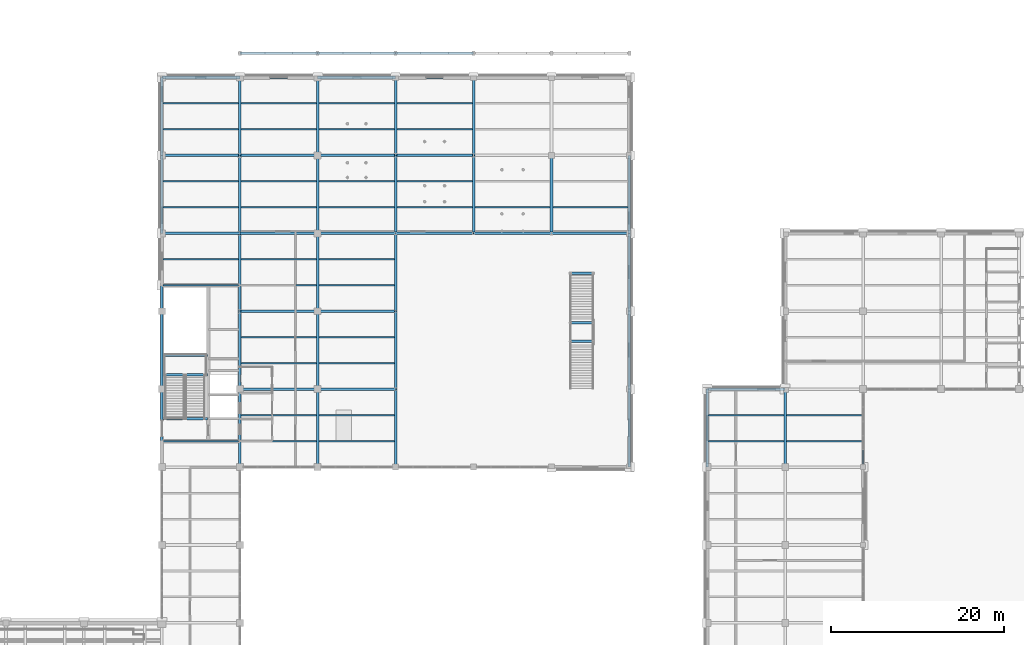
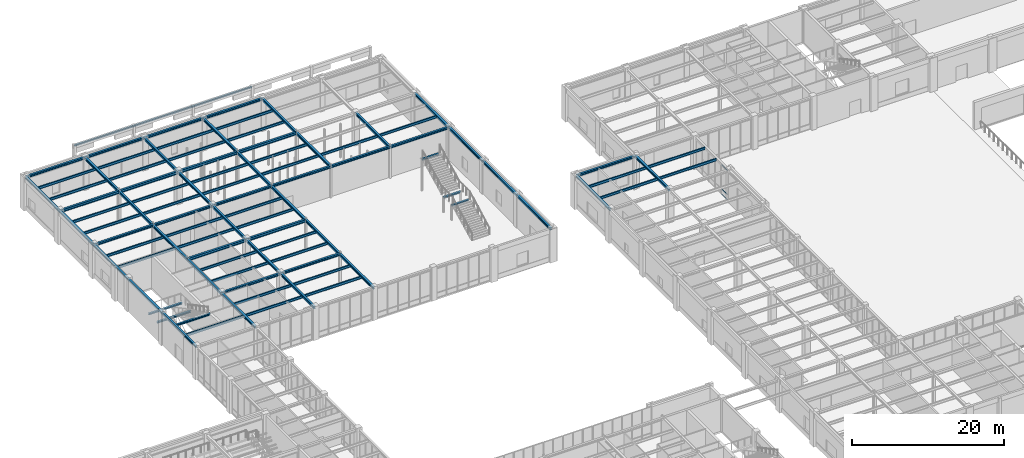
# One storey, part 45 of 77: 94 beams, 3 members, 1 element without a shape of its own.
"""IFC4 building model written with IfcOpenShell, lengths in metres."""

import ifcopenshell
import ifcopenshell.guid

model = None  # the IFC model being written
_history = None  # IfcOwnerHistory: only IFC2X3 demands one
_inside = {}  # id of a spatial element -> (the spatial element, [elements in it])
_under = {}  # id of a project, library or spatial element -> (it, [spatial elements below it])
_declared = {}  # id of a project -> (the project, [libraries it declares])
_typed = {}  # id of a type object -> (the type object, [elements of that type])
_made_of = {}  # id of a material, layer set ... -> (it, [elements and type objects made of it])


def new_model(schema):
    """Start an empty IFC model of exactly this schema.

    Asked for "IFC4X3", IfcOpenShell would pick the latest addendum, in which some entities
    have other attributes; the version numbers below select the first issue.
    IFC2X3 requires an IfcOwnerHistory on every rooted entity: one is made here for all.
    """
    global model, _history
    if schema == "IFC4X3":
        model = ifcopenshell.file(schema_version=(4, 3, 0, 0))
    else:
        model = ifcopenshell.file(schema=schema)
    _inside.clear()
    _under.clear()
    _declared.clear()
    _typed.clear()
    _made_of.clear()
    _history = None
    if model.schema == "IFC2X3":
        org = make("IfcOrganization", Name="unknown")
        user = make(
            "IfcPersonAndOrganization",
            ThePerson=make("IfcPerson", FamilyName="unknown"),
            TheOrganization=org,
        )
        app = make(
            "IfcApplication",
            ApplicationDeveloper=org,
            Version="unknown",
            ApplicationFullName="unknown",
            ApplicationIdentifier="unknown",
        )
        _history = make(
            "IfcOwnerHistory",
            OwningUser=user,
            OwningApplication=app,
            ChangeAction="ADDED",
            CreationDate=0,
        )
    return model


def make(cls, **values):
    """One entity of the class cls with the attributes given. An attribute that is None is left unset."""
    return model.create_entity(
        cls, **{name: value for name, value in values.items() if value is not None}
    )


def rooted(cls, **values):
    """An entity with a GlobalId (a new one), such as an element, a storey or a relation."""
    return make(cls, GlobalId=ifcopenshell.guid.new(), OwnerHistory=_history, **values)


def si_unit(unit_type, name, prefix=None):
    """IfcSIUnit, for example si_unit("LENGTHUNIT", "METRE", prefix="MILLI")."""
    return make("IfcSIUnit", UnitType=unit_type, Prefix=prefix, Name=name)


def assignment(units):
    """IfcUnitAssignment: the units of a project."""
    return None if units is None else make("IfcUnitAssignment", Units=units)


def point(xyz):
    """IfcCartesianPoint."""
    return None if xyz is None else make("IfcCartesianPoint", Coordinates=xyz)


def direction(xyz):
    """IfcDirection."""
    return None if xyz is None else make("IfcDirection", DirectionRatios=xyz)


def frame(location, z_axis=None, x_axis=None):
    """IfcAxis2Placement3D, a coordinate frame: its origin and axes. An axis left out is left unset."""
    return make(
        "IfcAxis2Placement3D",
        Location=point(location),
        Axis=direction(z_axis),
        RefDirection=direction(x_axis),
    )


def frame_2d(location, x_axis=None):
    """IfcAxis2Placement2D, a coordinate frame in the plane: its origin and x axis."""
    return make(
        "IfcAxis2Placement2D", Location=point(location), RefDirection=direction(x_axis)
    )


def origin():
    """The frame at (0, 0, 0) with its axes left unset."""
    return frame((0.0, 0.0, 0.0))


def origin_2d():
    """The frame at (0, 0) in the plane with its x axis left unset."""
    return frame_2d((0.0, 0.0))


def place(relative_to, where):
    """IfcLocalPlacement: puts the frame where relative to a parent placement (None: the world)."""
    return make(
        "IfcLocalPlacement", PlacementRelTo=relative_to, RelativePlacement=where
    )


def context(
    kind, dimensions, precision=None, world=None, true_north=None, identifier=None
):
    """IfcGeometricRepresentationContext, for example the 3D "Model" context."""
    return make(
        "IfcGeometricRepresentationContext",
        ContextIdentifier=identifier,
        ContextType=kind,
        CoordinateSpaceDimension=dimensions,
        Precision=precision,
        WorldCoordinateSystem=world,
        TrueNorth=true_north,
    )


def subcontext(parent, identifier, kind, view, scale=None):
    """IfcGeometricRepresentationSubContext, for example "Body" below "Model"."""
    return make(
        "IfcGeometricRepresentationSubContext",
        ContextIdentifier=identifier,
        ContextType=kind,
        ParentContext=parent,
        TargetScale=scale,
        TargetView=view,
    )


def project(units=None, contexts=None):
    """IfcProject with its units and contexts."""
    return rooted(
        "IfcProject",
        Name="project",
        RepresentationContexts=contexts,
        UnitsInContext=assignment(units),
    )


def spatial(cls, under=None, at=None, **own):
    """A site, building, storey or space (cls), placed at a placement, below another one or the project."""
    s = rooted(cls, ObjectPlacement=at, **own)
    if under is not None:
        _under.setdefault(under.id(), (under, []))[1].append(s)
    return s


def profile(cls, at=None, kind="AREA", **sizes):
    """A parametric profile (cls). Its sizes go by their IFC names, for example OverallWidth=200.0."""
    return make(cls, ProfileType=kind, Position=at, **sizes)


def hollow_rectangle(**sizes):
    """IfcRectangleHollowProfileDef."""
    return profile("IfcRectangleHollowProfileDef", **sizes)


def i_section(**sizes):
    """IfcIShapeProfileDef."""
    return profile("IfcIShapeProfileDef", **sizes)


def extrude(swept, where, along, depth):
    """IfcExtrudedAreaSolid: the profile swept, set in the frame where, extruded along a direction by depth."""
    return make(
        "IfcExtrudedAreaSolid",
        SweptArea=swept,
        Position=where,
        ExtrudedDirection=direction(along),
        Depth=depth,
    )


def shape(context_of_items, identifier, shape_type, items):
    """IfcShapeRepresentation: the items that make up one representation, for example the "Body"."""
    return make(
        "IfcShapeRepresentation",
        ContextOfItems=context_of_items,
        RepresentationIdentifier=identifier,
        RepresentationType=shape_type,
        Items=items,
    )


def material(Name=None, Category=None):
    """IfcMaterial."""
    return make("IfcMaterial", Name=Name, Category=Category)


def material_profile(
    of_material, cross_section, Name=None, Category=None, Priority=None
):
    """IfcMaterialProfile: a cross section and its material."""
    return make(
        "IfcMaterialProfile",
        Name=Name,
        Material=of_material,
        Profile=cross_section,
        Priority=Priority,
        Category=Category,
    )


def profile_set(profiles, Name=None, composite=None):
    """IfcMaterialProfileSet."""
    return make(
        "IfcMaterialProfileSet",
        Name=Name,
        MaterialProfiles=profiles,
        CompositeProfile=composite,
    )


def made_of(thing, what):
    """Note that an element or type object is made of a material, layer set ...; save() writes the relation."""
    if what is not None:
        _made_of.setdefault(what.id(), (what, []))[1].append(thing)
    return thing


def type_object(cls, material=None, **own):
    """A type object (cls), such as IfcWallType, which elements share."""
    return made_of(rooted(cls, **own), material)


def element(
    cls,
    number,
    at=None,
    inside=None,
    cuts=None,
    type_object=None,
    material=None,
    context=None,
    identifier="Body",
    shape_type=None,
    held_by="IfcProductDefinitionShape",
    body=None,
    shapes=None,
    **own,
):
    """One element of the class cls, such as IfcWall. Its Tag is "e" and its number.

    at: its placement. inside: the storey or other place that contains it. cuts: it is an
    opening in that element (IfcRelVoidsElement). A single representation is given by context,
    identifier, shape_type and body (its items); several are given by shapes. held_by: the class
    of the entity that holds the representations. save() writes the other relations.
    """
    e = rooted(cls, Tag="e%d" % number, ObjectPlacement=at, **own)
    if body is not None:
        shapes = [shape(context, identifier, shape_type, body)]
    if shapes is not None:
        e.Representation = make(held_by, Representations=shapes)
    if inside is not None:
        _inside.setdefault(inside.id(), (inside, []))[1].append(e)
    if cuts is not None:
        rooted(
            "IfcRelVoidsElement", RelatingBuildingElement=cuts, RelatedOpeningElement=e
        )
    if type_object is not None:
        _typed.setdefault(type_object.id(), (type_object, []))[1].append(e)
    return made_of(e, material)


def aggregate(whole, parts):
    """IfcRelAggregates: a whole, such as a stair, and the parts it consists of."""
    return rooted("IfcRelAggregates", RelatingObject=whole, RelatedObjects=parts)


def save(model, path):
    """Write the relations noted so far, then the file.

    IfcRelAggregates (storeys below a building ...), IfcRelContainedInSpatialStructure (elements
    in a storey), IfcRelDefinesByType, IfcRelAssociatesMaterial and IfcRelDeclares: one each for
    every whole, place, type object, material and project.
    """
    for whole, parts in _under.values():
        aggregate(whole, parts)
    for where, things in _inside.values():
        rooted(
            "IfcRelContainedInSpatialStructure",
            RelatedElements=things,
            RelatingStructure=where,
        )
    for kind, things in _typed.values():
        rooted("IfcRelDefinesByType", RelatedObjects=things, RelatingType=kind)
    for what, things in _made_of.values():
        rooted("IfcRelAssociatesMaterial", RelatedObjects=things, RelatingMaterial=what)
    for by, libraries in _declared.values():
        rooted("IfcRelDeclares", RelatingContext=by, RelatedDefinitions=libraries)
    model.write(path)


model = new_model("IFC4")

# Units and contexts
model_context = context("Model", 3, precision=1e-05, world=origin(), true_north=direction((0.0, 1.0)))
body_context = subcontext(model_context, "Body", "Model", "MODEL_VIEW")
ifc_project = project(units=[si_unit("LENGTHUNIT", "METRE"), si_unit("AREAUNIT", "SQUARE_METRE"), si_unit("VOLUMEUNIT", "CUBIC_METRE"), si_unit("PLANEANGLEUNIT", "RADIAN"), si_unit("MASSUNIT", "GRAM", prefix="KILO")], contexts=[model_context])

# Site, building, storey
site_placement = place(None, origin())
site = spatial("IfcSite", under=ifc_project, at=site_placement, CompositionType="ELEMENT")
building_placement = place(site_placement, origin())
building = spatial("IfcBuilding", under=site, at=building_placement, Name="Lykobir Media Centre", CompositionType="ELEMENT")
storey_placement = place(building_placement, origin())
storey = spatial("IfcBuildingStorey", under=building, at=storey_placement, Name="L00", CompositionType="ELEMENT", Elevation=0.0)

# Beams
ifc_material_1 = material(Name="Steel S355", Category="steel")
ifc_material_profile_1 = material_profile(ifc_material_1, i_section(OverallWidth=0.300048828125, OverallDepth=0.389892578125, WebThickness=0.010986328125, FlangeThickness=0.01904296875, at=origin_2d()), Name="HEA 400")
ifc_profile_set_1 = profile_set([ifc_material_profile_1], Name="Steel S355")
beam_type_1 = type_object("IfcBeamType", Name="BM-HEA400", PredefinedType="BEAM", material=ifc_profile_set_1)
for number, where, z_axis, x_axis, name in (
    (1, (36.0, 63.0, 4.965087890625), (0.0, 1.0, 0.0), (-1.0, 0.0, 0.0), "Beam BM-L00-0360-0630-0360-0720-496"),
    (2, (36.0, 72.0, 4.965087890625), (0.0, 1.0, 0.0), (-1.0, 0.0, 0.0), "Beam BM-L00-0360-0720-0360-0810-496"),
    (3, (36.0, 81.0, 4.965087890625), (0.0, 1.0, 0.0), (-1.0, 0.0, 0.0), "Beam BM-L00-0360-0810-0360-0900-496"),
    (4, (36.0, 90.0, 4.965087890625), (0.0, 1.0, 0.0), (-1.0, 0.0, 0.0), "Beam BM-L00-0360-0900-0360-0990-496"),
    (5, (36.0, 99.0, 4.965087890625), (0.0, 1.0, 0.0), (-1.0, 0.0, 0.0), "Beam BM-L00-0360-0990-0360-1080-496"),
    (6, (45.0, 63.0, 4.965087890625), (0.0, 1.0, 0.0), (-1.0, 0.0, 0.0), "Beam BM-L00-0450-0630-0450-0720-496"),
    (7, (45.0, 72.0, 4.965087890625), (0.0, 1.0, 0.0), (-1.0, 0.0, 0.0), "Beam BM-L00-0450-0720-0450-0810-496"),
    (8, (45.0, 81.0, 4.965087890625), (0.0, 1.0, 0.0), (-1.0, 0.0, 0.0), "Beam BM-L00-0450-0810-0450-0900-496"),
    (9, (45.0, 90.0, 4.965087890625), (0.0, 1.0, 0.0), (-1.0, 0.0, 0.0), "Beam BM-L00-0450-0900-0450-0990-496"),
    (10, (45.0, 99.0, 4.965087890625), (0.0, 1.0, 0.0), (-1.0, 0.0, 0.0), "Beam BM-L00-0450-0990-0450-1080-496"),
    (11, (54.0, 63.0, 4.965087890625), (0.0, 1.0, 0.0), (-1.0, 0.0, 0.0), "Beam BM-L00-0540-0630-0540-0720-496"),
    (12, (54.0, 72.0, 4.965087890625), (0.0, 1.0, 0.0), (-1.0, 0.0, 0.0), "Beam BM-L00-0540-0720-0540-0810-496"),
    (13, (54.0, 81.0, 4.965087890625), (0.0, 1.0, 0.0), (-1.0, 0.0, 0.0), "Beam BM-L00-0540-0810-0540-0900-496"),
    (14, (54.0, 90.0, 4.965087890625), (0.0, 1.0, 0.0), (-1.0, 0.0, 0.0), "Beam BM-L00-0540-0900-0540-0990-496"),
    (15, (54.0, 99.0, 4.965087890625), (0.0, 1.0, 0.0), (-1.0, 0.0, 0.0), "Beam BM-L00-0540-0990-0540-1080-496"),
    (16, (63.0, 90.0, 4.965087890625), (0.0, 1.0, 0.0), (-1.0, 0.0, 0.0), "Beam BM-L00-0630-0900-0630-0990-496"),
    (17, (63.0, 99.0, 4.965087890625), (0.0, 1.0, 0.0), (-1.0, 0.0, 0.0), "Beam BM-L00-0630-0990-0630-1080-496"),
    (18, (72.0, 90.0, 4.965087890625), (0.0, 1.0, 0.0), (-1.0, 0.0, 0.0), "Beam BM-L00-0720-0900-0720-0990-496"),
    (19, (99.0, 63.0, 4.965087890625), (0.0, 1.0, 0.0), (-1.0, 0.0, 0.0), "Beam BM-L00-0990-0630-0990-0720-496"),
):
    element("IfcBeam", number, at=place(storey_placement, frame(where, z_axis=z_axis, x_axis=x_axis)), inside=storey, type_object=beam_type_1, Name=name, PredefinedType="BEAM", context=body_context, shape_type="SweptSolid", body=[
        extrude(i_section(OverallWidth=0.300048828125, OverallDepth=0.389892578125, WebThickness=0.010986328125, FlangeThickness=0.01904296875, at=origin_2d()), origin(), (0.0, 0.0, 1.0), 9.0),
    ])
ifc_material_profile_2 = material_profile(ifc_material_1, i_section(OverallWidth=0.300048828125, OverallDepth=0.43994140625, WebThickness=0.011474609375, FlangeThickness=0.02099609375, at=origin_2d()), Name="HEA 450")
ifc_profile_set_2 = profile_set([ifc_material_profile_2], Name="Steel S355")
beam_type_2 = type_object("IfcBeamType", Name="BM-HEA450", PredefinedType="BEAM", material=ifc_profile_set_2)
for number, where, z_axis, x_axis, name in (
    (20, (36.0, 81.0, 4.93994140625), (1.0, 0.0, 0.0), (0.0, 1.0, 0.0), "Beam BM-L00-0360-0810-0450-0810-494"),
    (21, (45.0, 81.0, 4.93994140625), (1.0, 0.0, 0.0), (0.0, 1.0, 0.0), "Beam BM-L00-0450-0810-0540-0810-494"),
    (22, (27.0, 99.0, 4.93994140625), (1.0, 0.0, 0.0), (0.0, 1.0, 0.0), "Beam BM-L00-0270-0990-0360-0990-494"),
    (23, (36.0, 99.0, 4.93994140625), (1.0, 0.0, 0.0), (0.0, 1.0, 0.0), "Beam BM-L00-0360-0990-0450-0990-494"),
    (24, (45.0, 99.0, 4.93994140625), (1.0, 0.0, 0.0), (0.0, 1.0, 0.0), "Beam BM-L00-0450-0990-0540-0990-494"),
    (25, (54.0, 99.0, 4.93994140625), (1.0, 0.0, 0.0), (0.0, 1.0, 0.0), "Beam BM-L00-0540-0990-0630-0990-494"),
):
    element("IfcBeam", number, at=place(storey_placement, frame(where, z_axis=z_axis, x_axis=x_axis)), inside=storey, type_object=beam_type_2, Name=name, PredefinedType="BEAM", context=body_context, shape_type="SweptSolid", body=[
        extrude(i_section(OverallWidth=0.300048828125, OverallDepth=0.43994140625, WebThickness=0.011474609375, FlangeThickness=0.02099609375, at=origin_2d()), origin(), (0.0, 0.0, 1.0), 9.0),
    ])
ifc_material_profile_3 = material_profile(ifc_material_1, i_section(OverallWidth=0.260009765625, OverallDepth=0.25, WebThickness=0.007568359375, FlangeThickness=0.012451171875, at=origin_2d()), Name="HEA 260")
ifc_profile_set_3 = profile_set([ifc_material_profile_3], Name="Steel S355")
beam_type_3 = type_object("IfcBeamType", Name="BM-ST260", PredefinedType="BEAM", material=ifc_profile_set_3)
beam_1_placement = place(storey_placement, frame((27.1298828125, 75.8798828125, 2.3798828125), z_axis=(1.0, 0.0, 0.0), x_axis=(0.0, 1.0, 0.0)))
element("IfcBeam", 26, at=beam_1_placement, inside=storey, type_object=beam_type_3, Name="ST-3 L00 half-landing support beam", PredefinedType="BEAM", context=body_context, shape_type="SweptSolid", body=[
    extrude(i_section(OverallWidth=0.260009765625, OverallDepth=0.25, WebThickness=0.007568359375, FlangeThickness=0.012451171875, at=origin_2d()), origin(), (0.0, 0.0, 1.0), 5.14013671875),
])
for number, where, z_axis, x_axis, name in (
    (27, (74.199951171875, 77.52001953125, 2.3701171875), (1.0, 0.0, 0.0), (0.0, 1.0, 0.0), "Valley stair landing beam 1"),
    (28, (74.199951171875, 79.669921875, 2.3701171875), (1.0, 0.0, 0.0), (0.0, 1.0, 0.0), "Valley stair landing beam 1"),
):
    element("IfcBeam", number, at=place(storey_placement, frame(where, z_axis=z_axis, x_axis=x_axis)), inside=storey, type_object=beam_type_3, Name=name, PredefinedType="BEAM", context=body_context, shape_type="SweptSolid", body=[
        extrude(i_section(OverallWidth=0.260009765625, OverallDepth=0.25, WebThickness=0.007568359375, FlangeThickness=0.012451171875, at=origin_2d()), origin(), (0.0, 0.0, 1.0), 2.60009765625),
    ])
ifc_material_profile_4 = material_profile(ifc_material_1, i_section(OverallWidth=0.280029296875, OverallDepth=0.27001953125, WebThickness=0.008056640625, FlangeThickness=0.012939453125, at=origin_2d()), Name="HEA 280")
ifc_profile_set_4 = profile_set([ifc_material_profile_4], Name="Steel S355")
beam_type_4 = type_object("IfcBeamType", Name="BM-ST280", PredefinedType="BEAM", material=ifc_profile_set_4)
for number, where, z_axis, x_axis, name in (
    (29, (27.1298828125, 68.580078125, 5.02490234375), (1.0, 0.0, 0.0), (0.0, 1.0, 0.0), "ST-3 L00 arrival trimmer beam"),
    (30, (27.1298828125, 73.679931640625, 2.3701171875), (1.0, 0.0, 0.0), (0.0, 1.0, 0.0), "ST-3 L00 mid-landing trimmer beam"),
):
    element("IfcBeam", number, at=place(storey_placement, frame(where, z_axis=z_axis, x_axis=x_axis)), inside=storey, type_object=beam_type_4, Name=name, PredefinedType="BEAM", context=body_context, shape_type="SweptSolid", body=[
        extrude(i_section(OverallWidth=0.280029296875, OverallDepth=0.27001953125, WebThickness=0.008056640625, FlangeThickness=0.012939453125, at=origin_2d()), origin(), (0.0, 0.0, 1.0), 5.14013671875),
    ])
beam_2_placement = place(storey_placement, frame((74.199951171875, 85.3701171875, 5.02490234375), z_axis=(1.0, 0.0, 0.0), x_axis=(0.0, 1.0, 0.0)))
element("IfcBeam", 31, at=beam_2_placement, inside=storey, type_object=beam_type_4, Name="Valley terrace edge trimmer 1", PredefinedType="BEAM", context=body_context, shape_type="SweptSolid", body=[
    extrude(i_section(OverallWidth=0.280029296875, OverallDepth=0.27001953125, WebThickness=0.008056640625, FlangeThickness=0.012939453125, at=origin_2d()), origin(), (0.0, 0.0, 1.0), 2.60009765625),
])

# Curtain wall, members
ifc_material_2 = material(Name="Anodized Aluminium AW-6060", Category="aluminium")
curtain_wall_type = type_object("IfcCurtainWallType", Name="CW-COURT-A", PredefinedType="NOTDEFINED", material=ifc_material_2)
curtain_wall_placement = place(storey_placement, origin())
curtain_wall = element("IfcCurtainWall", 32, at=curtain_wall_placement, inside=storey, type_object=curtain_wall_type, Name="Curtain wall CW2-L00-0007", PredefinedType="NOTDEFINED")
ifc_material_profile_5 = material_profile(ifc_material_2, hollow_rectangle(XDim=0.06494140625, YDim=0.1201171875, WallThickness=0.0029296875, at=origin_2d()), Name="ALU TRANSOM 65x120")
ifc_profile_set_5 = profile_set([ifc_material_profile_5], Name="Anodized Aluminium AW-6060")
member_type = type_object("IfcMemberType", Name="CWT-120", PredefinedType="USERDEFINED", material=ifc_profile_set_5)
member_1_placement = place(storey_placement, frame((108.0, 64.930419921875, 0.032470703125), z_axis=(0.0, -1.0, 0.0), x_axis=(1.0, 0.0, 0.0)))
member_1 = element("IfcMember", 33, at=member_1_placement, type_object=member_type, Name="CW2-L00-0007 transom 5.1", ObjectType="TRANSOM", PredefinedType="USERDEFINED", context=body_context, shape_type="SweptSolid", body=[
    extrude(hollow_rectangle(XDim=0.06494140625, YDim=0.1201171875, WallThickness=0.0029296875, at=origin_2d()), origin(), (0.0, 0.0, 1.0), 1.560302734375),
])
member_2_placement = place(storey_placement, frame((108.0, 64.930419921875, 0.85009765625), z_axis=(0.0, -1.0, 0.0), x_axis=(1.0, 0.0, 0.0)))
member_2 = element("IfcMember", 34, at=member_2_placement, type_object=member_type, Name="CW2-L00-0007 transom 5.2", ObjectType="TRANSOM", PredefinedType="USERDEFINED", context=body_context, shape_type="SweptSolid", body=[
    extrude(hollow_rectangle(XDim=0.06494140625, YDim=0.1201171875, WallThickness=0.0029296875, at=origin_2d()), origin(), (0.0, 0.0, 1.0), 1.560302734375),
])
member_3_placement = place(storey_placement, frame((108.0, 64.930419921875, 4.720458984375), z_axis=(0.0, -1.0, 0.0), x_axis=(1.0, 0.0, 0.0)))
member_3 = element("IfcMember", 35, at=member_3_placement, type_object=member_type, Name="CW2-L00-0007 transom 5.3", ObjectType="TRANSOM", PredefinedType="USERDEFINED", context=body_context, shape_type="SweptSolid", body=[
    extrude(hollow_rectangle(XDim=0.06494140625, YDim=0.1201171875, WallThickness=0.0029296875, at=origin_2d()), origin(), (0.0, 0.0, 1.0), 1.560302734375),
])
aggregate(curtain_wall, [member_1, member_2, member_3])

# Beams
ifc_material_profile_6 = material_profile(ifc_material_1, i_section(OverallWidth=0.179931640625, OverallDepth=0.39990234375, WebThickness=0.008544921875, FlangeThickness=0.013427734375, at=origin_2d()), Name="IPE 400")
ifc_profile_set_6 = profile_set([ifc_material_profile_6], Name="Steel S355")
beam_type_5 = type_object("IfcBeamType", Name="JS-IPE400", PredefinedType="JOIST", material=ifc_profile_set_6)
for number, where, z_axis, x_axis, name in (
    (36, (27.14990234375, 66.0, 4.9599609375), (1.0, 0.0, 0.0), (0.0, 1.0, 0.0), "Beam BM-L00-0272-0660-0358-0660-496"),
    (37, (27.14990234375, 84.0, 4.9599609375), (1.0, 0.0, 0.0), (0.0, 1.0, 0.0), "Beam BM-L00-0272-0840-0358-0840-496"),
    (38, (27.14990234375, 87.0, 4.9599609375), (1.0, 0.0, 0.0), (0.0, 1.0, 0.0), "Beam BM-L00-0272-0870-0358-0870-496"),
    (39, (27.14990234375, 93.0, 4.9599609375), (1.0, 0.0, 0.0), (0.0, 1.0, 0.0), "Beam BM-L00-0272-0930-0358-0930-496"),
    (40, (27.14990234375, 96.0, 4.9599609375), (1.0, 0.0, 0.0), (0.0, 1.0, 0.0), "Beam BM-L00-0272-0960-0358-0960-496"),
    (41, (27.14990234375, 102.0, 4.9599609375), (1.0, 0.0, 0.0), (0.0, 1.0, 0.0), "Beam BM-L00-0272-1020-0358-1020-496"),
    (42, (27.14990234375, 105.0, 4.9599609375), (1.0, 0.0, 0.0), (0.0, 1.0, 0.0), "Beam BM-L00-0272-1050-0358-1050-496"),
    (43, (36.14990234375, 66.0, 4.9599609375), (1.0, 0.0, 0.0), (0.0, 1.0, 0.0), "Beam BM-L00-0362-0660-0448-0660-496"),
    (44, (36.14990234375, 69.0, 4.9599609375), (1.0, 0.0, 0.0), (0.0, 1.0, 0.0), "Beam BM-L00-0362-0690-0448-0690-496"),
    (45, (36.14990234375, 75.0, 4.9599609375), (1.0, 0.0, 0.0), (0.0, 1.0, 0.0), "Beam BM-L00-0362-0750-0448-0750-496"),
    (46, (36.14990234375, 78.0, 4.9599609375), (1.0, 0.0, 0.0), (0.0, 1.0, 0.0), "Beam BM-L00-0362-0780-0448-0780-496"),
    (47, (36.14990234375, 84.0, 4.9599609375), (1.0, 0.0, 0.0), (0.0, 1.0, 0.0), "Beam BM-L00-0362-0840-0448-0840-496"),
    (48, (36.14990234375, 87.0, 4.9599609375), (1.0, 0.0, 0.0), (0.0, 1.0, 0.0), "Beam BM-L00-0362-0870-0448-0870-496"),
    (49, (36.14990234375, 93.0, 4.9599609375), (1.0, 0.0, 0.0), (0.0, 1.0, 0.0), "Beam BM-L00-0362-0930-0448-0930-496"),
    (50, (36.14990234375, 96.0, 4.9599609375), (1.0, 0.0, 0.0), (0.0, 1.0, 0.0), "Beam BM-L00-0362-0960-0448-0960-496"),
    (51, (36.14990234375, 102.0, 4.9599609375), (1.0, 0.0, 0.0), (0.0, 1.0, 0.0), "Beam BM-L00-0362-1020-0448-1020-496"),
    (52, (36.14990234375, 105.0, 4.9599609375), (1.0, 0.0, 0.0), (0.0, 1.0, 0.0), "Beam BM-L00-0362-1050-0448-1050-496"),
    (53, (45.14990234375, 66.0, 4.9599609375), (1.0, 0.0, 0.0), (0.0, 1.0, 0.0), "Beam BM-L00-0452-0660-0538-0660-496"),
    (54, (45.14990234375, 69.0, 4.9599609375), (1.0, 0.0, 0.0), (0.0, 1.0, 0.0), "Beam BM-L00-0452-0690-0538-0690-496"),
    (55, (45.14990234375, 75.0, 4.9599609375), (1.0, 0.0, 0.0), (0.0, 1.0, 0.0), "Beam BM-L00-0452-0750-0538-0750-496"),
    (56, (45.14990234375, 78.0, 4.9599609375), (1.0, 0.0, 0.0), (0.0, 1.0, 0.0), "Beam BM-L00-0452-0780-0538-0780-496"),
    (57, (45.14990234375, 84.0, 4.9599609375), (1.0, 0.0, 0.0), (0.0, 1.0, 0.0), "Beam BM-L00-0452-0840-0538-0840-496"),
    (58, (45.14990234375, 87.0, 4.9599609375), (1.0, 0.0, 0.0), (0.0, 1.0, 0.0), "Beam BM-L00-0452-0870-0538-0870-496"),
    (59, (45.14990234375, 93.0, 4.9599609375), (1.0, 0.0, 0.0), (0.0, 1.0, 0.0), "Beam BM-L00-0452-0930-0538-0930-496"),
    (60, (45.14990234375, 96.0, 4.9599609375), (1.0, 0.0, 0.0), (0.0, 1.0, 0.0), "Beam BM-L00-0452-0960-0538-0960-496"),
    (61, (45.14990234375, 102.0, 4.9599609375), (1.0, 0.0, 0.0), (0.0, 1.0, 0.0), "Beam BM-L00-0452-1020-0538-1020-496"),
    (62, (45.14990234375, 105.0, 4.9599609375), (1.0, 0.0, 0.0), (0.0, 1.0, 0.0), "Beam BM-L00-0452-1050-0538-1050-496"),
    (63, (54.14990234375, 93.0, 4.9599609375), (1.0, 0.0, 0.0), (0.0, 1.0, 0.0), "Beam BM-L00-0542-0930-0628-0930-496"),
    (64, (54.14990234375, 96.0, 4.9599609375), (1.0, 0.0, 0.0), (0.0, 1.0, 0.0), "Beam BM-L00-0542-0960-0628-0960-496"),
    (65, (54.14990234375, 102.0, 4.9599609375), (1.0, 0.0, 0.0), (0.0, 1.0, 0.0), "Beam BM-L00-0542-1020-0628-1020-496"),
    (66, (54.14990234375, 105.0, 4.9599609375), (1.0, 0.0, 0.0), (0.0, 1.0, 0.0), "Beam BM-L00-0542-1050-0628-1050-496"),
    (67, (63.14990234375, 93.0, 4.9599609375), (1.0, 0.0, 0.0), (0.0, 1.0, 0.0), "Beam BM-L00-0632-0930-0718-0930-496"),
    (68, (72.14990234375, 93.0, 4.9599609375), (1.0, 0.0, 0.0), (0.0, 1.0, 0.0), "Beam BM-L00-0722-0930-0808-0930-496"),
    (69, (90.14990234375, 66.0, 4.9599609375), (1.0, 0.0, 0.0), (0.0, 1.0, 0.0), "Beam BM-L00-0902-0660-0988-0660-496"),
    (70, (90.14990234375, 69.0, 4.9599609375), (1.0, 0.0, 0.0), (0.0, 1.0, 0.0), "Beam BM-L00-0902-0690-0988-0690-496"),
    (71, (99.14990234375, 66.0, 4.97998046875), (1.0, 0.0, 0.0), (0.0, 1.0, 0.0), "Beam BM-L00-0992-0660-1078-0660-498"),
    (72, (99.14990234375, 69.0, 4.97998046875), (1.0, 0.0, 0.0), (0.0, 1.0, 0.0), "Beam BM-L00-0992-0690-1078-0690-498"),
):
    element("IfcBeam", number, at=place(storey_placement, frame(where, z_axis=z_axis, x_axis=x_axis)), inside=storey, type_object=beam_type_5, Name=name, PredefinedType="JOIST", context=body_context, shape_type="SweptSolid", body=[
        extrude(i_section(OverallWidth=0.179931640625, OverallDepth=0.39990234375, WebThickness=0.008544921875, FlangeThickness=0.013427734375, at=origin_2d()), origin(), (0.0, 0.0, 1.0), 8.7001953125),
    ])
ifc_material_profile_7 = material_profile(ifc_material_1, i_section(OverallWidth=0.239990234375, OverallDepth=0.22998046875, WebThickness=0.007568359375, FlangeThickness=0.011962890625, at=origin_2d()), Name="HEA 240")
ifc_profile_set_7 = profile_set([ifc_material_profile_7], Name="Steel S355")
beam_type_6 = type_object("IfcBeamType", Name="SP-HEA240-E", PredefinedType="SPANDREL", material=ifc_profile_set_7)
for number, where, z_axis, x_axis, name in (
    (73, (36.0, 110.800048828125, 5.195068359375), (1.0, 0.0, 0.0), (0.0, 1.0, 0.0), "Beam BM-L00-0360-1108-0450-1108-519"),
    (74, (45.0, 110.800048828125, 5.195068359375), (1.0, 0.0, 0.0), (0.0, 1.0, 0.0), "Beam BM-L00-0450-1108-0540-1108-519"),
    (75, (54.0, 110.800048828125, 5.195068359375), (1.0, 0.0, 0.0), (0.0, 1.0, 0.0), "Beam BM-L00-0540-1108-0630-1108-519"),
):
    element("IfcBeam", number, at=place(storey_placement, frame(where, z_axis=z_axis, x_axis=x_axis)), inside=storey, type_object=beam_type_6, Name=name, PredefinedType="SPANDREL", context=body_context, shape_type="SweptSolid", body=[
        extrude(i_section(OverallWidth=0.239990234375, OverallDepth=0.22998046875, WebThickness=0.007568359375, FlangeThickness=0.011962890625, at=origin_2d()), origin(), (0.0, 0.0, 1.0), 9.0),
    ])
ifc_material_profile_8 = material_profile(ifc_material_1, i_section(OverallWidth=0.300048828125, OverallDepth=0.35009765625, WebThickness=0.010009765625, FlangeThickness=0.017578125, at=origin_2d()), Name="HEA 360")
ifc_profile_set_8 = profile_set([ifc_material_profile_8], Name="Steel S355")
beam_type_7 = type_object("IfcBeamType", Name="SP-HEA360", PredefinedType="SPANDREL", material=ifc_profile_set_8)
for number, where, z_axis, x_axis, name in (
    (76, (36.0, 72.0, 4.985107421875), (1.0, 0.0, 0.0), (0.0, 1.0, 0.0), "Beam BM-L00-0360-0720-0450-0720-499"),
    (77, (45.0, 72.0, 4.985107421875), (1.0, 0.0, 0.0), (0.0, 1.0, 0.0), "Beam BM-L00-0450-0720-0540-0720-499"),
    (78, (90.0, 72.0, 4.985107421875), (1.0, 0.0, 0.0), (0.0, 1.0, 0.0), "Beam BM-L00-0900-0720-0990-0720-499"),
    (79, (27.0, 90.0, 4.985107421875), (1.0, 0.0, 0.0), (0.0, 1.0, 0.0), "Beam BM-L00-0270-0900-0360-0900-499"),
    (80, (36.0, 90.0, 4.985107421875), (1.0, 0.0, 0.0), (0.0, 1.0, 0.0), "Beam BM-L00-0360-0900-0450-0900-499"),
    (81, (45.0, 90.0, 4.985107421875), (1.0, 0.0, 0.0), (0.0, 1.0, 0.0), "Beam BM-L00-0450-0900-0540-0900-499"),
    (82, (54.0, 90.0, 4.985107421875), (1.0, 0.0, 0.0), (0.0, 1.0, 0.0), "Beam BM-L00-0540-0900-0630-0900-499"),
    (83, (63.0, 90.0, 4.985107421875), (1.0, 0.0, 0.0), (0.0, 1.0, 0.0), "Beam BM-L00-0630-0900-0720-0900-499"),
    (84, (72.0, 90.0, 4.985107421875), (1.0, 0.0, 0.0), (0.0, 1.0, 0.0), "Beam BM-L00-0720-0900-0810-0900-499"),
    (85, (27.0, 108.0, 4.985107421875), (1.0, 0.0, 0.0), (0.0, 1.0, 0.0), "Beam BM-L00-0270-1080-0360-1080-499"),
    (86, (36.0, 108.0, 4.985107421875), (1.0, 0.0, 0.0), (0.0, 1.0, 0.0), "Beam BM-L00-0360-1080-0450-1080-499"),
    (87, (45.0, 108.0, 4.985107421875), (1.0, 0.0, 0.0), (0.0, 1.0, 0.0), "Beam BM-L00-0450-1080-0540-1080-499"),
    (88, (54.0, 108.0, 4.985107421875), (1.0, 0.0, 0.0), (0.0, 1.0, 0.0), "Beam BM-L00-0540-1080-0630-1080-499"),
    (89, (27.0, 63.0, 4.985107421875), (0.0, 1.0, 0.0), (-1.0, 0.0, 0.0), "Beam BM-L00-0270-0630-0270-0720-499"),
    (90, (27.0, 72.0, 4.985107421875), (0.0, 1.0, 0.0), (-1.0, 0.0, 0.0), "Beam BM-L00-0270-0720-0270-0810-499"),
    (91, (27.0, 81.0, 4.985107421875), (0.0, 1.0, 0.0), (-1.0, 0.0, 0.0), "Beam BM-L00-0270-0810-0270-0900-499"),
    (92, (27.0, 90.0, 4.985107421875), (0.0, 1.0, 0.0), (-1.0, 0.0, 0.0), "Beam BM-L00-0270-0900-0270-0990-499"),
    (93, (27.0, 99.0, 4.985107421875), (0.0, 1.0, 0.0), (-1.0, 0.0, 0.0), "Beam BM-L00-0270-0990-0270-1080-499"),
):
    element("IfcBeam", number, at=place(storey_placement, frame(where, z_axis=z_axis, x_axis=x_axis)), inside=storey, type_object=beam_type_7, Name=name, PredefinedType="SPANDREL", context=body_context, shape_type="SweptSolid", body=[
        extrude(i_section(OverallWidth=0.300048828125, OverallDepth=0.35009765625, WebThickness=0.010009765625, FlangeThickness=0.017578125, at=origin_2d()), origin(), (0.0, 0.0, 1.0), 9.0),
    ])
ifc_material_profile_9 = material_profile(ifc_material_1, i_section(OverallWidth=0.300048828125, OverallDepth=0.35009765625, WebThickness=0.010009765625, FlangeThickness=0.017578125, at=origin_2d()), Name="HEA 360")
ifc_profile_set_9 = profile_set([ifc_material_profile_9], Name="Steel S355")
beam_type_8 = type_object("IfcBeamType", Name="SP-HEA360-E", PredefinedType="SPANDREL", material=ifc_profile_set_9)
for number, where, z_axis, x_axis, name in (
    (94, (81.0, 63.0, 4.985107421875), (0.0, 1.0, 0.0), (-1.0, 0.0, 0.0), "Beam BM-L00-0810-0630-0810-0720-499"),
    (95, (81.0, 72.0, 4.985107421875), (0.0, 1.0, 0.0), (-1.0, 0.0, 0.0), "Beam BM-L00-0810-0720-0810-0810-499"),
    (96, (81.0, 81.0, 4.985107421875), (0.0, 1.0, 0.0), (-1.0, 0.0, 0.0), "Beam BM-L00-0810-0810-0810-0900-499"),
    (97, (81.0, 90.0, 4.985107421875), (0.0, 1.0, 0.0), (-1.0, 0.0, 0.0), "Beam BM-L00-0810-0900-0810-0990-499"),
    (98, (90.0, 63.0, 4.985107421875), (0.0, 1.0, 0.0), (-1.0, 0.0, 0.0), "Beam BM-L00-0900-0630-0900-0720-499"),
):
    element("IfcBeam", number, at=place(storey_placement, frame(where, z_axis=z_axis, x_axis=x_axis)), inside=storey, type_object=beam_type_8, Name=name, PredefinedType="SPANDREL", context=body_context, shape_type="SweptSolid", body=[
        extrude(i_section(OverallWidth=0.300048828125, OverallDepth=0.35009765625, WebThickness=0.010009765625, FlangeThickness=0.017578125, at=origin_2d()), origin(), (0.0, 0.0, 1.0), 9.0),
    ])

save(model, "model.ifc")
